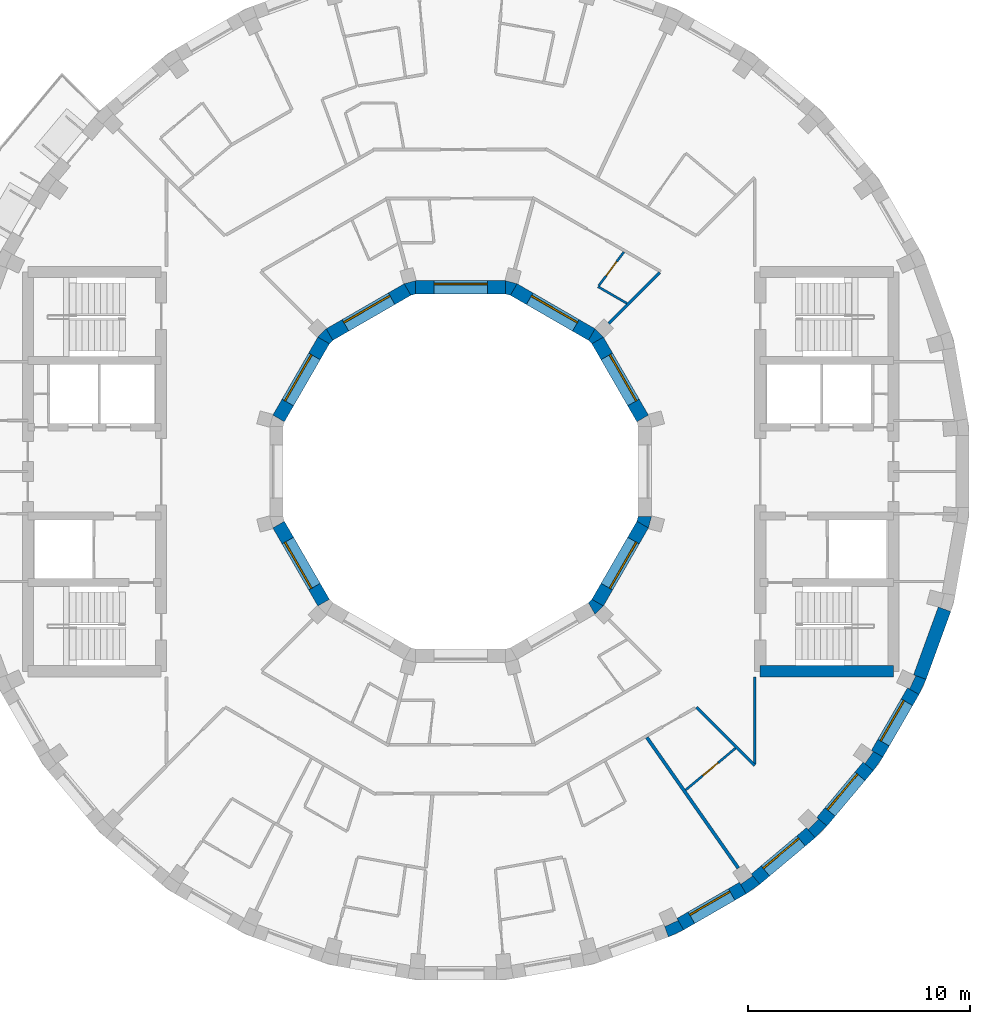
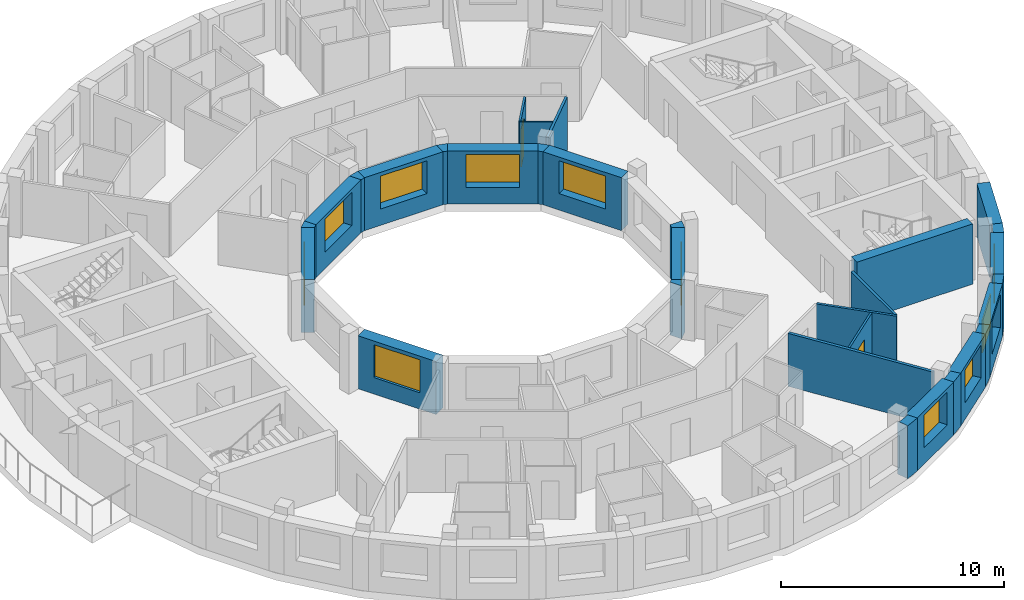
# One storey, part 5 of 10: 31 walls, 11 windows, 2 doors, 13 openings.
"""IFC4 building model written with IfcOpenShell, lengths in metres."""

from ifc_helpers import new_model, si_unit, direction, frame, frame_2d, origin, place, context, subcontext, project, spatial, polyline, rectangle, outline, extrude, material, layer, layer_set, type_object, element, fill, save


model = new_model("IFC4")

# Units and contexts
model_context = context("Model", 3, precision=1e-05, world=origin(), true_north=direction((0.0, 1.0)))
body_context = subcontext(model_context, "Body", "Model", "MODEL_VIEW")
ifc_project = project(units=[si_unit("LENGTHUNIT", "METRE"), si_unit("AREAUNIT", "SQUARE_METRE"), si_unit("VOLUMEUNIT", "CUBIC_METRE"), si_unit("PLANEANGLEUNIT", "RADIAN"), si_unit("MASSUNIT", "GRAM", prefix="KILO")], contexts=[model_context])

# Site, building, storey
site_placement = place(None, origin())
site = spatial("IfcSite", under=ifc_project, at=site_placement, CompositionType="ELEMENT")
building_placement = place(site_placement, origin())
building = spatial("IfcBuilding", under=site, at=building_placement, Name="Saqina Gate Tower", CompositionType="ELEMENT")
storey_placement = place(building_placement, frame((0.0, 0.0, 242.89990234375)))
storey = spatial("IfcBuildingStorey", under=building, at=storey_placement, Name="L69", CompositionType="ELEMENT", Elevation=242.89990234375)

# Walls
ifc_material_1 = material(Name="Brick masonry (buff)", Category="masonry")
wall_type_1 = type_object("IfcWallType", Name="BRICK PIER COPING BUFF", PredefinedType="SOLIDWALL", material=ifc_material_1)
wall_1_placement = place(storey_placement, origin())
element("IfcWall", 1, at=wall_1_placement, inside=storey, type_object=wall_type_1, Name="Pier cap L69 column 30", PredefinedType="SOLIDWALL", context=body_context, shape_type="SweptSolid", body=[
    extrude(outline(polyline([(9.3642578125, -20.974609375), (10.048095703125, -20.65576171875), (9.748291015625, -20.135986328125), (9.79296875, -20.23193359375), (9.203857421875, -20.506591796875), (9.1591796875, -20.410888671875), (9.3642578125, -20.974609375)])), origin(), (0.0, 0.0, 1.0), 2.900146484375),
])
wall_2_placement = place(storey_placement, origin())
element("IfcWall", 2, at=wall_2_placement, inside=storey, type_object=wall_type_1, Name="Pier cap L69 column 31", PredefinedType="SOLIDWALL", context=body_context, shape_type="SweptSolid", body=[
    extrude(outline(polyline([(12.8642578125, -19.02978515625), (13.482421875, -18.59716796875), (13.0966796875, -18.137451171875), (13.157470703125, -18.22412109375), (12.625, -18.596923828125), (12.564208984375, -18.51025390625), (12.8642578125, -19.02978515625)])), origin(), (0.0, 0.0, 1.0), 2.900146484375),
])
wall_3_placement = place(storey_placement, origin())
element("IfcWall", 3, at=wall_3_placement, inside=storey, type_object=wall_type_1, Name="Pier cap L69 column 32", PredefinedType="SOLIDWALL", context=body_context, shape_type="SweptSolid", body=[
    extrude(outline(polyline([(16.5068359375, -15.973388671875), (16.04736328125, -15.587646484375), (16.1220703125, -15.662353515625), (15.662353515625, -16.1220703125), (15.587646484375, -16.04736328125), (15.973388671875, -16.5068359375), (16.5068359375, -15.973388671875)])), origin(), (0.0, 0.0, 1.0), 2.900146484375),
])
wall_4_placement = place(storey_placement, origin())
element("IfcWall", 4, at=wall_4_placement, inside=storey, type_object=wall_type_1, Name="Pier cap L69 column 33", PredefinedType="SOLIDWALL", context=body_context, shape_type="SweptSolid", body=[
    extrude(outline(polyline([(19.02978515625, -12.8642578125), (18.51025390625, -12.564208984375), (18.596923828125, -12.625), (18.22412109375, -13.157470703125), (18.137451171875, -13.0966796875), (18.59716796875, -13.482421875), (19.02978515625, -12.8642578125)])), origin(), (0.0, 0.0, 1.0), 2.900146484375),
])
wall_5_placement = place(storey_placement, origin())
element("IfcWall", 5, at=wall_5_placement, inside=storey, type_object=wall_type_1, Name="Pier cap L69 column 34", PredefinedType="SOLIDWALL", context=body_context, shape_type="SweptSolid", body=[
    extrude(outline(polyline([(20.65576171875, -10.048095703125), (20.974609375, -9.3642578125), (20.410888671875, -9.1591796875), (20.506591796875, -9.203857421875), (20.23193359375, -9.79296875), (20.135986328125, -9.748291015625), (20.65576171875, -10.048095703125)])), origin(), (0.0, 0.0, 1.0), 2.900146484375),
])

# Wall, opening, window
ifc_material_2 = material(Name="Brick masonry (buff)", Category="masonry")
ifc_layer_1 = layer(ifc_material_2, 0.60009765625)
ifc_layer_set_1 = layer_set([ifc_layer_1], Name="FW-BRICK-BUFF")
wall_type_2 = type_object("IfcWallType", Name="FW-BRICK-BUFF", PredefinedType="SOLIDWALL", material=ifc_layer_set_1)
wall_6_placement = place(storey_placement, frame((9.898193359375, -20.39599609375, 0.0), z_axis=(0.0, 0.0, 1.0), x_axis=(0.866016800201, 0.500014901547, 0.0)))
wall_6 = element("IfcWall", 6, at=wall_6_placement, inside=storey, type_object=wall_type_2, Name="Facade wall L69 facet 30", PredefinedType="SOLIDWALL", context=body_context, shape_type="SweptSolid", body=[
    extrude(rectangle(XDim=3.251953125, YDim=0.60009765625, at=frame_2d((1.6259765625, 0.0))), origin(), (0.0, 0.0, 1.0), 2.900146484375),
])
opening_1_placement = place(wall_6_placement, frame((0.57568359375, 0.0, 0.89990234375)))
opening_1 = element("IfcOpeningElement", 7, at=opening_1_placement, cuts=wall_6, Name="Opening G20-W21", PredefinedType="OPENING", context=body_context, shape_type="SweptSolid", body=[
    extrude(rectangle(XDim=2.10009765625, YDim=1.800048828125, at=frame_2d((1.050048828125, 0.89990234375))), frame((0.0, 0.31201171875, 0.0), z_axis=(0.0, -1.0, 0.0), x_axis=(1.0, 0.0, 0.0)), (0.0, 0.0, 1.0), 0.6240234375),
])
ifc_material_3 = material(Name="Aluminium glazing", Category="aluminium")
window_type_1 = type_object("IfcWindowType", Name="WN-D", PartitioningType="SINGLE_PANEL", PredefinedType="WINDOW", material=ifc_material_3)
window_1_placement = place(opening_1_placement, origin())
window_1 = element("IfcWindow", 8, at=window_1_placement, inside=storey, type_object=window_type_1, Name="Window L69 facet 30", OverallHeight=1.800048828125, OverallWidth=2.10009765625, PartitioningType="SINGLE_PANEL", PredefinedType="WINDOW", context=body_context, shape_type="SweptSolid", body=[
    extrude(rectangle(XDim=2.10009765625, YDim=1.800048828125, at=frame_2d((1.050048828125, 0.89990234375))), frame((0.0, 0.179931640625, 0.0), z_axis=(0.0, -1.0, 0.0), x_axis=(1.0, 0.0, 0.0)), (0.0, 0.0, 1.0), 0.06005859375),
])
fill(opening_1, window_1)

wall_7_placement = place(storey_placement, frame((13.28955078125, -18.3671875, 0.0), z_axis=(0.0, 0.0, 1.0), x_axis=(0.766056773982, 0.64277291405, 0.0)))
wall_7 = element("IfcWall", 9, at=wall_7_placement, inside=storey, type_object=wall_type_2, Name="Facade wall L69 facet 31", PredefinedType="SOLIDWALL", context=body_context, shape_type="SweptSolid", body=[
    extrude(rectangle(XDim=3.251708984375, YDim=0.60009765625, at=frame_2d((1.6259765625, 0.0))), origin(), (0.0, 0.0, 1.0), 2.900146484375),
])
opening_2_placement = place(wall_7_placement, frame((0.57568359375, 0.0, 0.89990234375)))
opening_2 = element("IfcOpeningElement", 10, at=opening_2_placement, cuts=wall_7, Name="Opening G20-W22", PredefinedType="OPENING", context=body_context, shape_type="SweptSolid", body=[
    extrude(rectangle(XDim=2.10009765625, YDim=1.800048828125, at=frame_2d((1.050048828125, 0.89990234375))), frame((0.0, 0.31201171875, 0.0), z_axis=(0.0, -1.0, 0.0), x_axis=(1.0, 0.0, 0.0)), (0.0, 0.0, 1.0), 0.6240234375),
])
window_2_placement = place(opening_2_placement, origin())
window_2 = element("IfcWindow", 11, at=window_2_placement, inside=storey, type_object=window_type_1, Name="Window L69 facet 31", OverallHeight=1.800048828125, OverallWidth=2.10009765625, PartitioningType="SINGLE_PANEL", PredefinedType="WINDOW", context=body_context, shape_type="SweptSolid", body=[
    extrude(rectangle(XDim=2.10009765625, YDim=1.800048828125, at=frame_2d((1.050048828125, 0.89990234375))), frame((0.0, 0.179931640625, 0.0), z_axis=(0.0, -1.0, 0.0), x_axis=(1.0, 0.0, 0.0)), (0.0, 0.0, 1.0), 0.06005859375),
])
fill(opening_2, window_2)

wall_8_placement = place(storey_placement, frame((16.277099609375, -15.780517578125, 0.0), z_axis=(0.0, 0.0, 1.0), x_axis=(0.64277291405, 0.766056773982, 0.0)))
wall_8 = element("IfcWall", 12, at=wall_8_placement, inside=storey, type_object=wall_type_2, Name="Facade wall L69 facet 32", PredefinedType="SOLIDWALL", context=body_context, shape_type="SweptSolid", body=[
    extrude(rectangle(XDim=3.251708984375, YDim=0.60009765625, at=frame_2d((1.6259765625, 0.0))), origin(), (0.0, 0.0, 1.0), 2.900146484375),
])
opening_3_placement = place(wall_8_placement, frame((0.57568359375, 0.0, 0.89990234375)))
opening_3 = element("IfcOpeningElement", 13, at=opening_3_placement, cuts=wall_8, Name="Opening G20-W23", PredefinedType="OPENING", context=body_context, shape_type="SweptSolid", body=[
    extrude(rectangle(XDim=2.10009765625, YDim=1.800048828125, at=frame_2d((1.050048828125, 0.89990234375))), frame((0.0, 0.31201171875, 0.0), z_axis=(0.0, -1.0, 0.0), x_axis=(1.0, 0.0, 0.0)), (0.0, 0.0, 1.0), 0.6240234375),
])
window_3_placement = place(opening_3_placement, origin())
window_3 = element("IfcWindow", 14, at=window_3_placement, inside=storey, type_object=window_type_1, Name="Window L69 facet 32", OverallHeight=1.800048828125, OverallWidth=2.10009765625, PartitioningType="SINGLE_PANEL", PredefinedType="WINDOW", context=body_context, shape_type="SweptSolid", body=[
    extrude(rectangle(XDim=2.10009765625, YDim=1.800048828125, at=frame_2d((1.050048828125, 0.89990234375))), frame((0.0, 0.179931640625, 0.0), z_axis=(0.0, -1.0, 0.0), x_axis=(1.0, 0.0, 0.0)), (0.0, 0.0, 1.0), 0.06005859375),
])
fill(opening_3, window_3)

wall_9_placement = place(storey_placement, frame((18.77001953125, -12.71435546875, 0.0), z_axis=(0.0, 0.0, 1.0), x_axis=(0.500014901547, 0.866016800201, 0.0)))
wall_9 = element("IfcWall", 15, at=wall_9_placement, inside=storey, type_object=wall_type_2, Name="Facade wall L69 facet 33", PredefinedType="SOLIDWALL", context=body_context, shape_type="SweptSolid", body=[
    extrude(rectangle(XDim=3.251953125, YDim=0.60009765625, at=frame_2d((1.6259765625, 0.0))), origin(), (0.0, 0.0, 1.0), 2.900146484375),
])
opening_4_placement = place(wall_9_placement, frame((0.57568359375, 0.0, 0.89990234375)))
opening_4 = element("IfcOpeningElement", 16, at=opening_4_placement, cuts=wall_9, Name="Opening G20-W24", PredefinedType="OPENING", context=body_context, shape_type="SweptSolid", body=[
    extrude(rectangle(XDim=2.10009765625, YDim=1.800048828125, at=frame_2d((1.050048828125, 0.89990234375))), frame((0.0, 0.31201171875, 0.0), z_axis=(0.0, -1.0, 0.0), x_axis=(1.0, 0.0, 0.0)), (0.0, 0.0, 1.0), 0.6240234375),
])
window_4_placement = place(opening_4_placement, origin())
window_4 = element("IfcWindow", 17, at=window_4_placement, inside=storey, type_object=window_type_1, Name="Window L69 facet 33", OverallHeight=1.800048828125, OverallWidth=2.10009765625, PartitioningType="SINGLE_PANEL", PredefinedType="WINDOW", context=body_context, shape_type="SweptSolid", body=[
    extrude(rectangle(XDim=2.10009765625, YDim=1.800048828125, at=frame_2d((1.050048828125, 0.89990234375))), frame((0.0, 0.179931640625, 0.0), z_axis=(0.0, -1.0, 0.0), x_axis=(1.0, 0.0, 0.0)), (0.0, 0.0, 1.0), 0.06005859375),
])
fill(opening_4, window_4)

# Wall
ifc_material_4 = material(Name="Glazed ceramic tile", Category="ceramic")
ifc_layer_2 = layer(ifc_material_4, 0.60009765625)
ifc_layer_set_2 = layer_set([ifc_layer_2], Name="FW-TILE")
wall_type_3 = type_object("IfcWallType", Name="FW-TILE", PredefinedType="SOLIDWALL", material=ifc_layer_set_2)
wall_10_placement = place(storey_placement, frame((20.692626953125, -9.26171875, 0.0), z_axis=(0.0, 0.0, 1.0), x_axis=(0.342056509473, 0.939679383794, 0.0)))
element("IfcWall", 18, at=wall_10_placement, inside=storey, type_object=wall_type_3, Name="Facade wall L69 facet 34", PredefinedType="SOLIDWALL", context=body_context, shape_type="SweptSolid", body=[
    extrude(rectangle(XDim=3.251708984375, YDim=0.60009765625, at=frame_2d((1.6259765625, 0.0))), origin(), (0.0, 0.0, 1.0), 2.900146484375),
])

# Wall, opening, window
ifc_material_5 = material(Name="Glazed ceramic tile", Category="ceramic")
ifc_layer_3 = layer(ifc_material_5, 0.60009765625)
ifc_layer_set_3 = layer_set([ifc_layer_3], Name="IW-TILE")
wall_type_4 = type_object("IfcWallType", Name="IW-TILE", PredefinedType="SOLIDWALL", material=ifc_layer_set_3)
wall_11_placement = place(storey_placement, frame((8.20263671875, 2.392578125, 0.0), z_axis=(0.0, 0.0, 1.0), x_axis=(-0.499994954979, 0.866028316509, 0.0)))
wall_11 = element("IfcWall", 19, at=wall_11_placement, inside=storey, type_object=wall_type_4, Name="Well wall L69 facet 1", PredefinedType="SOLIDWALL", context=body_context, shape_type="SweptSolid", body=[
    extrude(rectangle(XDim=4.05859375, YDim=0.60009765625, at=frame_2d((2.029296875, 0.0))), origin(), (0.0, 0.0, 1.0), 2.900146484375),
])
opening_5_placement = place(wall_11_placement, frame((0.829345703125, 0.0, 0.89990234375)))
opening_5 = element("IfcOpeningElement", 20, at=opening_5_placement, cuts=wall_11, Name="Opening G20-W25", PredefinedType="OPENING", context=body_context, shape_type="SweptSolid", body=[
    extrude(rectangle(XDim=2.39990234375, YDim=1.800048828125, at=frame_2d((1.199951171875, 0.89990234375))), frame((0.0, 0.31201171875, 0.0), z_axis=(0.0, -1.0, 0.0), x_axis=(1.0, 0.0, 0.0)), (0.0, 0.0, 1.0), 0.6240234375),
])
ifc_material_6 = material(Name="Aluminium glazing", Category="aluminium")
window_type_2 = type_object("IfcWindowType", Name="WN-W", PartitioningType="SINGLE_PANEL", PredefinedType="WINDOW", material=ifc_material_6)
window_5_placement = place(opening_5_placement, origin())
window_5 = element("IfcWindow", 21, at=window_5_placement, inside=storey, type_object=window_type_2, Name="Well window L69 facet 1", OverallHeight=1.800048828125, OverallWidth=2.39990234375, PartitioningType="SINGLE_PANEL", PredefinedType="WINDOW", context=body_context, shape_type="SweptSolid", body=[
    extrude(rectangle(XDim=2.39990234375, YDim=1.800048828125, at=frame_2d((1.199951171875, 0.89990234375))), frame((0.0, -0.119873046875, 0.0), z_axis=(0.0, -1.0, 0.0), x_axis=(1.0, 0.0, 0.0)), (0.0, 0.0, 1.0), 0.06005859375),
])
fill(opening_5, window_5)

wall_12_placement = place(storey_placement, frame((5.907470703125, 6.17333984375, 0.0), z_axis=(0.0, 0.0, 1.0), x_axis=(-0.866028316509, 0.499994954979, 0.0)))
wall_12 = element("IfcWall", 22, at=wall_12_placement, inside=storey, type_object=wall_type_4, Name="Well wall L69 facet 2", PredefinedType="SOLIDWALL", context=body_context, shape_type="SweptSolid", body=[
    extrude(rectangle(XDim=4.05859375, YDim=0.60009765625, at=frame_2d((2.029296875, 0.0))), origin(), (0.0, 0.0, 1.0), 2.900146484375),
])
opening_6_placement = place(wall_12_placement, frame((0.829345703125, 0.0, 0.89990234375)))
opening_6 = element("IfcOpeningElement", 23, at=opening_6_placement, cuts=wall_12, Name="Opening G20-W26", PredefinedType="OPENING", context=body_context, shape_type="SweptSolid", body=[
    extrude(rectangle(XDim=2.39990234375, YDim=1.800048828125, at=frame_2d((1.199951171875, 0.89990234375))), frame((0.0, 0.31201171875, 0.0), z_axis=(0.0, -1.0, 0.0), x_axis=(1.0, 0.0, 0.0)), (0.0, 0.0, 1.0), 0.6240234375),
])
window_6_placement = place(opening_6_placement, origin())
window_6 = element("IfcWindow", 24, at=window_6_placement, inside=storey, type_object=window_type_2, Name="Well window L69 facet 2", OverallHeight=1.800048828125, OverallWidth=2.39990234375, PartitioningType="SINGLE_PANEL", PredefinedType="WINDOW", context=body_context, shape_type="SweptSolid", body=[
    extrude(rectangle(XDim=2.39990234375, YDim=1.800048828125, at=frame_2d((1.199951171875, 0.89990234375))), frame((0.0, -0.119873046875, 0.0), z_axis=(0.0, -1.0, 0.0), x_axis=(1.0, 0.0, 0.0)), (0.0, 0.0, 1.0), 0.06005859375),
])
fill(opening_6, window_6)

wall_13_placement = place(storey_placement, frame((2.029296875, 8.300048828125, 0.0), z_axis=(0.0, 0.0, 1.0), x_axis=(-1.0, 0.0, 0.0)))
wall_13 = element("IfcWall", 25, at=wall_13_placement, inside=storey, type_object=wall_type_4, Name="Well wall L69 facet 3", PredefinedType="SOLIDWALL", context=body_context, shape_type="SweptSolid", body=[
    extrude(rectangle(XDim=4.05859375, YDim=0.60009765625, at=frame_2d((2.029296875, 0.0))), origin(), (0.0, 0.0, 1.0), 2.900146484375),
])
opening_7_placement = place(wall_13_placement, frame((0.829345703125, 0.0, 0.89990234375)))
opening_7 = element("IfcOpeningElement", 26, at=opening_7_placement, cuts=wall_13, Name="Opening G20-W27", PredefinedType="OPENING", context=body_context, shape_type="SweptSolid", body=[
    extrude(rectangle(XDim=2.39990234375, YDim=1.800048828125, at=frame_2d((1.199951171875, 0.89990234375))), frame((0.0, 0.31201171875, 0.0), z_axis=(0.0, -1.0, 0.0), x_axis=(1.0, 0.0, 0.0)), (0.0, 0.0, 1.0), 0.6240234375),
])
window_7_placement = place(opening_7_placement, origin())
window_7 = element("IfcWindow", 27, at=window_7_placement, inside=storey, type_object=window_type_2, Name="Well window L69 facet 3", OverallHeight=1.800048828125, OverallWidth=2.39990234375, PartitioningType="SINGLE_PANEL", PredefinedType="WINDOW", context=body_context, shape_type="SweptSolid", body=[
    extrude(rectangle(XDim=2.39990234375, YDim=1.800048828125, at=frame_2d((1.199951171875, 0.89990234375))), frame((0.0, -0.119873046875, 0.0), z_axis=(0.0, -1.0, 0.0), x_axis=(1.0, 0.0, 0.0)), (0.0, 0.0, 1.0), 0.06005859375),
])
fill(opening_7, window_7)

wall_14_placement = place(storey_placement, frame((-2.392578125, 8.20263671875, 0.0), z_axis=(0.0, 0.0, 1.0), x_axis=(-0.866028316509, -0.499994954979, 0.0)))
wall_14 = element("IfcWall", 28, at=wall_14_placement, inside=storey, type_object=wall_type_4, Name="Well wall L69 facet 4", PredefinedType="SOLIDWALL", context=body_context, shape_type="SweptSolid", body=[
    extrude(rectangle(XDim=4.05859375, YDim=0.60009765625, at=frame_2d((2.029296875, 0.0))), origin(), (0.0, 0.0, 1.0), 2.900146484375),
])
opening_8_placement = place(wall_14_placement, frame((0.829345703125, 0.0, 0.89990234375)))
opening_8 = element("IfcOpeningElement", 29, at=opening_8_placement, cuts=wall_14, Name="Opening G20-W28", PredefinedType="OPENING", context=body_context, shape_type="SweptSolid", body=[
    extrude(rectangle(XDim=2.39990234375, YDim=1.800048828125, at=frame_2d((1.199951171875, 0.89990234375))), frame((0.0, 0.31201171875, 0.0), z_axis=(0.0, -1.0, 0.0), x_axis=(1.0, 0.0, 0.0)), (0.0, 0.0, 1.0), 0.6240234375),
])
window_8_placement = place(opening_8_placement, origin())
window_8 = element("IfcWindow", 30, at=window_8_placement, inside=storey, type_object=window_type_2, Name="Well window L69 facet 4", OverallHeight=1.800048828125, OverallWidth=2.39990234375, PartitioningType="SINGLE_PANEL", PredefinedType="WINDOW", context=body_context, shape_type="SweptSolid", body=[
    extrude(rectangle(XDim=2.39990234375, YDim=1.800048828125, at=frame_2d((1.199951171875, 0.89990234375))), frame((0.0, -0.119873046875, 0.0), z_axis=(0.0, -1.0, 0.0), x_axis=(1.0, 0.0, 0.0)), (0.0, 0.0, 1.0), 0.06005859375),
])
fill(opening_8, window_8)

wall_15_placement = place(storey_placement, frame((-6.17333984375, 5.907470703125, 0.0), z_axis=(0.0, 0.0, 1.0), x_axis=(-0.499994954979, -0.866028316509, 0.0)))
wall_15 = element("IfcWall", 31, at=wall_15_placement, inside=storey, type_object=wall_type_4, Name="Well wall L69 facet 5", PredefinedType="SOLIDWALL", context=body_context, shape_type="SweptSolid", body=[
    extrude(rectangle(XDim=4.05859375, YDim=0.60009765625, at=frame_2d((2.029296875, 0.0))), origin(), (0.0, 0.0, 1.0), 2.900146484375),
])
opening_9_placement = place(wall_15_placement, frame((0.829345703125, 0.0, 0.89990234375)))
opening_9 = element("IfcOpeningElement", 32, at=opening_9_placement, cuts=wall_15, Name="Opening G20-W29", PredefinedType="OPENING", context=body_context, shape_type="SweptSolid", body=[
    extrude(rectangle(XDim=2.39990234375, YDim=1.800048828125, at=frame_2d((1.199951171875, 0.89990234375))), frame((0.0, 0.31201171875, 0.0), z_axis=(0.0, -1.0, 0.0), x_axis=(1.0, 0.0, 0.0)), (0.0, 0.0, 1.0), 0.6240234375),
])
window_9_placement = place(opening_9_placement, origin())
window_9 = element("IfcWindow", 33, at=window_9_placement, inside=storey, type_object=window_type_2, Name="Well window L69 facet 5", OverallHeight=1.800048828125, OverallWidth=2.39990234375, PartitioningType="SINGLE_PANEL", PredefinedType="WINDOW", context=body_context, shape_type="SweptSolid", body=[
    extrude(rectangle(XDim=2.39990234375, YDim=1.800048828125, at=frame_2d((1.199951171875, 0.89990234375))), frame((0.0, -0.119873046875, 0.0), z_axis=(0.0, -1.0, 0.0), x_axis=(1.0, 0.0, 0.0)), (0.0, 0.0, 1.0), 0.06005859375),
])
fill(opening_9, window_9)

wall_16_placement = place(storey_placement, frame((-8.20263671875, -2.392578125, 0.0), z_axis=(0.0, 0.0, 1.0), x_axis=(0.499994954979, -0.866028316509, 0.0)))
wall_16 = element("IfcWall", 34, at=wall_16_placement, inside=storey, type_object=wall_type_4, Name="Well wall L69 facet 7", PredefinedType="SOLIDWALL", context=body_context, shape_type="SweptSolid", body=[
    extrude(rectangle(XDim=4.05859375, YDim=0.60009765625, at=frame_2d((2.029296875, 0.0))), origin(), (0.0, 0.0, 1.0), 2.900146484375),
])
opening_10_placement = place(wall_16_placement, frame((0.829345703125, 0.0, 0.89990234375)))
opening_10 = element("IfcOpeningElement", 35, at=opening_10_placement, cuts=wall_16, Name="Opening G20-W31", PredefinedType="OPENING", context=body_context, shape_type="SweptSolid", body=[
    extrude(rectangle(XDim=2.39990234375, YDim=1.800048828125, at=frame_2d((1.199951171875, 0.89990234375))), frame((0.0, 0.31201171875, 0.0), z_axis=(0.0, -1.0, 0.0), x_axis=(1.0, 0.0, 0.0)), (0.0, 0.0, 1.0), 0.6240234375),
])
window_10_placement = place(opening_10_placement, origin())
window_10 = element("IfcWindow", 36, at=window_10_placement, inside=storey, type_object=window_type_2, Name="Well window L69 facet 7", OverallHeight=1.800048828125, OverallWidth=2.39990234375, PartitioningType="SINGLE_PANEL", PredefinedType="WINDOW", context=body_context, shape_type="SweptSolid", body=[
    extrude(rectangle(XDim=2.39990234375, YDim=1.800048828125, at=frame_2d((1.199951171875, 0.89990234375))), frame((0.0, -0.119873046875, 0.0), z_axis=(0.0, -1.0, 0.0), x_axis=(1.0, 0.0, 0.0)), (0.0, 0.0, 1.0), 0.06005859375),
])
fill(opening_10, window_10)

wall_17_placement = place(storey_placement, frame((6.17333984375, -5.907470703125, 0.0), z_axis=(0.0, 0.0, 1.0), x_axis=(0.499994954979, 0.866028316509, 0.0)))
wall_17 = element("IfcWall", 37, at=wall_17_placement, inside=storey, type_object=wall_type_4, Name="Well wall L69 facet 11", PredefinedType="SOLIDWALL", context=body_context, shape_type="SweptSolid", body=[
    extrude(rectangle(XDim=4.05859375, YDim=0.60009765625, at=frame_2d((2.029296875, 0.0))), origin(), (0.0, 0.0, 1.0), 2.900146484375),
])
opening_11_placement = place(wall_17_placement, frame((0.829345703125, 0.0, 0.89990234375)))
opening_11 = element("IfcOpeningElement", 38, at=opening_11_placement, cuts=wall_17, Name="Opening G20-W35", PredefinedType="OPENING", context=body_context, shape_type="SweptSolid", body=[
    extrude(rectangle(XDim=2.39990234375, YDim=1.800048828125, at=frame_2d((1.199951171875, 0.89990234375))), frame((0.0, 0.31201171875, 0.0), z_axis=(0.0, -1.0, 0.0), x_axis=(1.0, 0.0, 0.0)), (0.0, 0.0, 1.0), 0.6240234375),
])
window_11_placement = place(opening_11_placement, origin())
window_11 = element("IfcWindow", 39, at=window_11_placement, inside=storey, type_object=window_type_2, Name="Well window L69 facet 11", OverallHeight=1.800048828125, OverallWidth=2.39990234375, PartitioningType="SINGLE_PANEL", PredefinedType="WINDOW", context=body_context, shape_type="SweptSolid", body=[
    extrude(rectangle(XDim=2.39990234375, YDim=1.800048828125, at=frame_2d((1.199951171875, 0.89990234375))), frame((0.0, -0.119873046875, 0.0), z_axis=(0.0, -1.0, 0.0), x_axis=(1.0, 0.0, 0.0)), (0.0, 0.0, 1.0), 0.06005859375),
])
fill(opening_11, window_11)

# Wall
ifc_material_7 = material(Name="Gypsum board on steel studs, 100 mm", Category="steel")
ifc_layer_4 = layer(ifc_material_7, 0.10009765625)
ifc_layer_set_4 = layer_set([ifc_layer_4], Name="PARTITION 100")
wall_type_5 = type_object("IfcWallType", Name="PARTITION 100", PredefinedType="PARTITIONING", material=ifc_layer_set_4)
wall_18_placement = place(storey_placement, frame((6.19189453125, 8.330078125, 0.0), z_axis=(0.0, 0.0, 1.0), x_axis=(0.865863509184, -0.500280304893, 0.0)))
element("IfcWall", 40, at=wall_18_placement, inside=storey, type_object=wall_type_5, Name="PARTITION PW3-20", PredefinedType="PARTITIONING", context=body_context, shape_type="SweptSolid", body=[
    extrude(rectangle(XDim=1.502685546875, YDim=0.10009765625, at=frame_2d((0.75146484375, 0.0))), origin(), (0.0, 0.0, 1.0), 2.900146484375),
])

# Wall, opening, door
wall_19_placement = place(storey_placement, frame((10.140380859375, -14.351806640625, 0.0), z_axis=(0.0, 0.0, 1.0), x_axis=(0.765946379397, 0.642904459378, 0.0)))
wall_19 = element("IfcWall", 41, at=wall_19_placement, inside=storey, type_object=wall_type_5, Name="PARTITION PW3-37", PredefinedType="PARTITIONING", context=body_context, shape_type="SweptSolid", body=[
    extrude(rectangle(XDim=2.9267578125, YDim=0.10009765625, at=frame_2d((1.46337890625, 0.0))), origin(), (0.0, 0.0, 1.0), 2.900146484375),
])
opening_12_placement = place(wall_19_placement, frame((1.007080078125, 0.0, 0.0)))
opening_12 = element("IfcOpeningElement", 42, at=opening_12_placement, cuts=wall_19, Name="Opening G20-D39", PredefinedType="OPENING", context=body_context, shape_type="SweptSolid", body=[
    extrude(rectangle(XDim=0.89990234375, YDim=2.10009765625, at=frame_2d((0.449951171875, 1.050048828125))), frame((0.0, 0.06201171875, 0.0), z_axis=(0.0, -1.0, 0.0), x_axis=(1.0, 0.0, 0.0)), (0.0, 0.0, 1.0), 0.1240234375),
])
ifc_material_8 = material(Name="Timber door leaf, 900 mm", Category="wood")
door_type_1 = type_object("IfcDoorType", Name="DOOR 900 TIMBER", OperationType="SINGLE_SWING_LEFT", PredefinedType="DOOR", material=ifc_material_8)
door_1_placement = place(opening_12_placement, frame((0.89990234375, 0.0, 0.0), z_axis=(0.0, 0.0, 1.0), x_axis=(-1.0, 0.0, 0.0)))
door_1 = element("IfcDoor", 43, at=door_1_placement, inside=storey, type_object=door_type_1, Name="DOOR G20-D39", OperationType="SINGLE_SWING_RIGHT", OverallHeight=2.10009765625, OverallWidth=0.89990234375, PredefinedType="DOOR", context=body_context, shape_type="SweptSolid", body=[
    extrude(rectangle(XDim=0.89990234375, YDim=2.10009765625, at=frame_2d((0.449951171875, 1.050048828125))), frame((0.0, 0.02490234375, 0.0), z_axis=(0.0, -1.0, 0.0), x_axis=(1.0, 0.0, 0.0)), (0.0, 0.0, 1.0), 0.050048828125),
])
fill(opening_12, door_1)

wall_20_placement = place(storey_placement, frame((6.221923828125, 8.3701171875, 0.0), z_axis=(0.0, 0.0, 1.0), x_axis=(0.596480065154, 0.802627891289, 0.0)))
wall_20 = element("IfcWall", 44, at=wall_20_placement, inside=storey, type_object=wall_type_5, Name="PARTITION PW3-40", PredefinedType="PARTITIONING", context=body_context, shape_type="SweptSolid", body=[
    extrude(rectangle(XDim=1.90087890625, YDim=0.10009765625, at=frame_2d((0.950439453125, 0.0))), origin(), (0.0, 0.0, 1.0), 2.900146484375),
])
opening_13_placement = place(wall_20_placement, frame((0.556640625, 0.0, 0.0)))
opening_13 = element("IfcOpeningElement", 45, at=opening_13_placement, cuts=wall_20, Name="Opening G20-D02", PredefinedType="OPENING", context=body_context, shape_type="SweptSolid", body=[
    extrude(rectangle(XDim=0.800048828125, YDim=2.10009765625, at=frame_2d((0.39990234375, 1.050048828125))), frame((0.0, 0.06201171875, 0.0), z_axis=(0.0, -1.0, 0.0), x_axis=(1.0, 0.0, 0.0)), (0.0, 0.0, 1.0), 0.1240234375),
])
ifc_material_9 = material(Name="Timber door leaf, 800 mm", Category="wood")
door_type_2 = type_object("IfcDoorType", Name="DOOR 800 TIMBER", OperationType="SINGLE_SWING_LEFT", PredefinedType="DOOR", material=ifc_material_9)
door_2_placement = place(opening_13_placement, origin())
door_2 = element("IfcDoor", 46, at=door_2_placement, inside=storey, type_object=door_type_2, Name="DOOR G20-D02", OperationType="SINGLE_SWING_RIGHT", OverallHeight=2.10009765625, OverallWidth=0.800048828125, PredefinedType="DOOR", context=body_context, shape_type="SweptSolid", body=[
    extrude(rectangle(XDim=0.800048828125, YDim=2.10009765625, at=frame_2d((0.39990234375, 1.050048828125))), frame((0.0, 0.02490234375, 0.0), z_axis=(0.0, -1.0, 0.0), x_axis=(1.0, 0.0, 0.0)), (0.0, 0.0, 1.0), 0.050048828125),
])
fill(opening_13, door_2)

# Walls
ifc_material_10 = material(Name="Gypsum board on steel studs, 125 mm, fire rated", Category="steel")
ifc_layer_5 = layer(ifc_material_10, 0.125)
ifc_layer_set_5 = layer_set([ifc_layer_5], Name="PARTITION EI 30 125")
wall_type_6 = type_object("IfcWallType", Name="PARTITION EI 30 125", PredefinedType="PARTITIONING", material=ifc_layer_set_5)
wall_21_placement = place(storey_placement, frame((10.6220703125, -10.6220703125, 0.0), z_axis=(0.0, 0.0, 1.0), x_axis=(0.707106781187, -0.707106781187, 0.0)))
element("IfcWall", 47, at=wall_21_placement, inside=storey, type_object=wall_type_6, Name="PARTITION PW1-09", PredefinedType="PARTITIONING", context=body_context, shape_type="SweptSolid", body=[
    extrude(rectangle(XDim=3.716552734375, YDim=0.125, at=frame_2d((1.8583984375, 0.0))), origin(), (0.0, 0.0, 1.0), 2.900146484375),
])
wall_22_placement = place(storey_placement, frame((6.6767578125, 6.6767578125, 0.0), z_axis=(0.0, 0.0, 1.0), x_axis=(0.707106781187, 0.707106781187, 0.0)))
element("IfcWall", 48, at=wall_22_placement, inside=storey, type_object=wall_type_6, Name="PARTITION PW1-31", PredefinedType="PARTITIONING", context=body_context, shape_type="SweptSolid", body=[
    extrude(rectangle(XDim=3.239990234375, YDim=0.125, at=frame_2d((1.6201171875, 0.0))), origin(), (0.0, 0.0, 1.0), 2.900146484375),
])
wall_23_placement = place(storey_placement, frame((13.25, -13.1875, 0.0), z_axis=(0.0, 0.0, 1.0), x_axis=(0.0, 1.0, 0.0)))
element("IfcWall", 49, at=wall_23_placement, inside=storey, type_object=wall_type_6, Name="PARTITION PW1-39", PredefinedType="PARTITIONING", context=body_context, shape_type="SweptSolid", body=[
    extrude(rectangle(XDim=3.9375, YDim=0.125, at=frame_2d((1.96875, 0.0))), origin(), (0.0, 0.0, 1.0), 2.900146484375),
])
ifc_material_11 = material(Name="Gypsum board on steel studs, 150 mm, fire rated", Category="steel")
ifc_layer_6 = layer(ifc_material_11, 0.14990234375)
ifc_layer_set_6 = layer_set([ifc_layer_6], Name="PARTITION EI 60 150")
wall_type_7 = type_object("IfcWallType", Name="PARTITION EI 60 150", PredefinedType="PARTITIONING", material=ifc_layer_set_6)
wall_24_placement = place(storey_placement, frame((8.391845703125, -11.985107421875, 0.0), z_axis=(0.0, 0.0, 1.0), x_axis=(0.573619710388, -0.819121741779, 0.0)))
element("IfcWall", 50, at=wall_24_placement, inside=storey, type_object=wall_type_7, Name="PARTITION PW2-03", PredefinedType="PARTITIONING", context=body_context, shape_type="SweptSolid", body=[
    extrude(rectangle(XDim=7.183837890625, YDim=0.14990234375, at=frame_2d((3.591796875, 0.0))), origin(), (0.0, 0.0, 1.0), 2.900146484375),
])
ifc_material_12 = material(Name="Concrete C60/75", Category="concrete")
ifc_layer_7 = layer(ifc_material_12, 0.5)
ifc_layer_set_7 = layer_set([ifc_layer_7], Name="Concrete C60/75")
wall_type_8 = type_object("IfcWallType", Name="STR-CORE WALL-D-O", PredefinedType="SHEAR", material=ifc_layer_set_7)
wall_25_placement = place(storey_placement, frame((13.5, -9.0, 0.0), z_axis=(0.0, 0.0, 1.0), x_axis=(1.0, 0.0, 0.0)))
element("IfcWall", 51, at=wall_25_placement, inside=storey, type_object=wall_type_8, Name="CORE WALL L69 E-SE", PredefinedType="SHEAR", context=body_context, shape_type="SweptSolid", body=[
    extrude(rectangle(XDim=6.0, YDim=0.5, at=frame_2d((3.0, 0.0))), origin(), (0.0, 0.0, 1.0), 3.300048828125),
])
ifc_material_13 = material(Name="Glazed ceramic tile", Category="ceramic")
wall_type_9 = type_object("IfcWallType", Name="TILE PIER COPING", PredefinedType="SOLIDWALL", material=ifc_material_13)
wall_26_placement = place(storey_placement, origin())
element("IfcWall", 52, at=wall_26_placement, inside=storey, type_object=wall_type_9, Name="Well pier cap L69 column 2", PredefinedType="SOLIDWALL", context=body_context, shape_type="SweptSolid", body=[
    extrude(outline(polyline([(6.0576171875, 6.43310546875), (5.757568359375, 5.91357421875), (5.91357421875, 5.757568359375), (6.43310546875, 6.0576171875), (6.0576171875, 6.43310546875)])), origin(), (0.0, 0.0, 1.0), 2.900146484375),
])
wall_27_placement = place(storey_placement, origin())
element("IfcWall", 53, at=wall_27_placement, inside=storey, type_object=wall_type_9, Name="Well pier cap L69 column 3", PredefinedType="SOLIDWALL", context=body_context, shape_type="SweptSolid", body=[
    extrude(outline(polyline([(2.029296875, 8.60009765625), (2.029296875, 8.0), (2.242431640625, 7.94287109375), (2.54248046875, 8.46240234375), (2.029296875, 8.60009765625)])), origin(), (0.0, 0.0, 1.0), 2.900146484375),
])
wall_28_placement = place(storey_placement, origin())
element("IfcWall", 54, at=wall_28_placement, inside=storey, type_object=wall_type_9, Name="Well pier cap L69 column 4", PredefinedType="SOLIDWALL", context=body_context, shape_type="SweptSolid", body=[
    extrude(outline(polyline([(-2.54248046875, 8.46240234375), (-2.242431640625, 7.94287109375), (-2.029296875, 8.0), (-2.029296875, 8.60009765625), (-2.54248046875, 8.46240234375)])), origin(), (0.0, 0.0, 1.0), 2.900146484375),
])
wall_29_placement = place(storey_placement, origin())
element("IfcWall", 55, at=wall_29_placement, inside=storey, type_object=wall_type_9, Name="Well pier cap L69 column 5", PredefinedType="SOLIDWALL", context=body_context, shape_type="SweptSolid", body=[
    extrude(outline(polyline([(-6.43310546875, 6.0576171875), (-5.91357421875, 5.757568359375), (-5.757568359375, 5.91357421875), (-6.0576171875, 6.43310546875), (-6.43310546875, 6.0576171875)])), origin(), (0.0, 0.0, 1.0), 2.900146484375),
])
wall_30_placement = place(storey_placement, origin())
element("IfcWall", 56, at=wall_30_placement, inside=storey, type_object=wall_type_9, Name="Well pier cap L69 column 11", PredefinedType="SOLIDWALL", context=body_context, shape_type="SweptSolid", body=[
    extrude(outline(polyline([(6.43310546875, -6.0576171875), (5.91357421875, -5.757568359375), (5.757568359375, -5.91357421875), (6.0576171875, -6.43310546875), (6.43310546875, -6.0576171875)])), origin(), (0.0, 0.0, 1.0), 2.900146484375),
])
wall_31_placement = place(storey_placement, origin())
element("IfcWall", 57, at=wall_31_placement, inside=storey, type_object=wall_type_9, Name="Well pier cap L69 column 12", PredefinedType="SOLIDWALL", context=body_context, shape_type="SweptSolid", body=[
    extrude(outline(polyline([(8.60009765625, -2.029296875), (8.0, -2.029296875), (7.94287109375, -2.242431640625), (8.46240234375, -2.54248046875), (8.60009765625, -2.029296875)])), origin(), (0.0, 0.0, 1.0), 2.900146484375),
])

save(model, "model.ifc")
